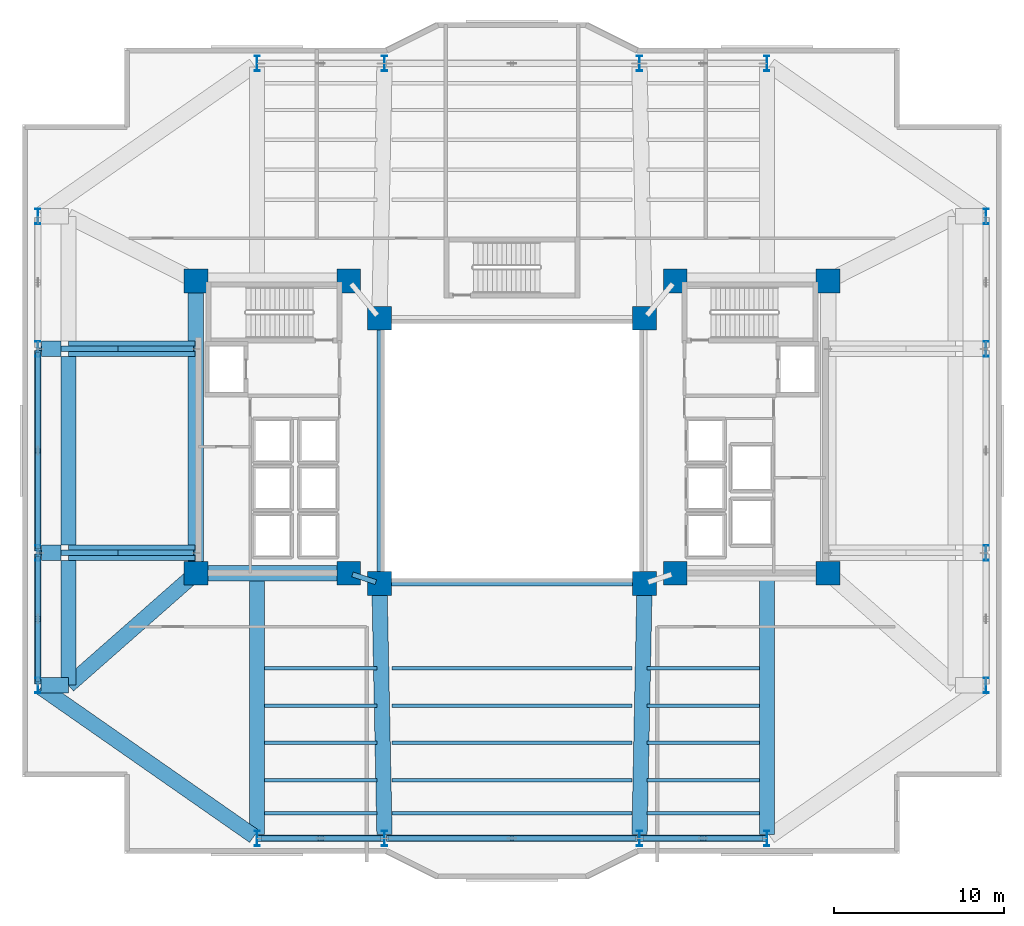
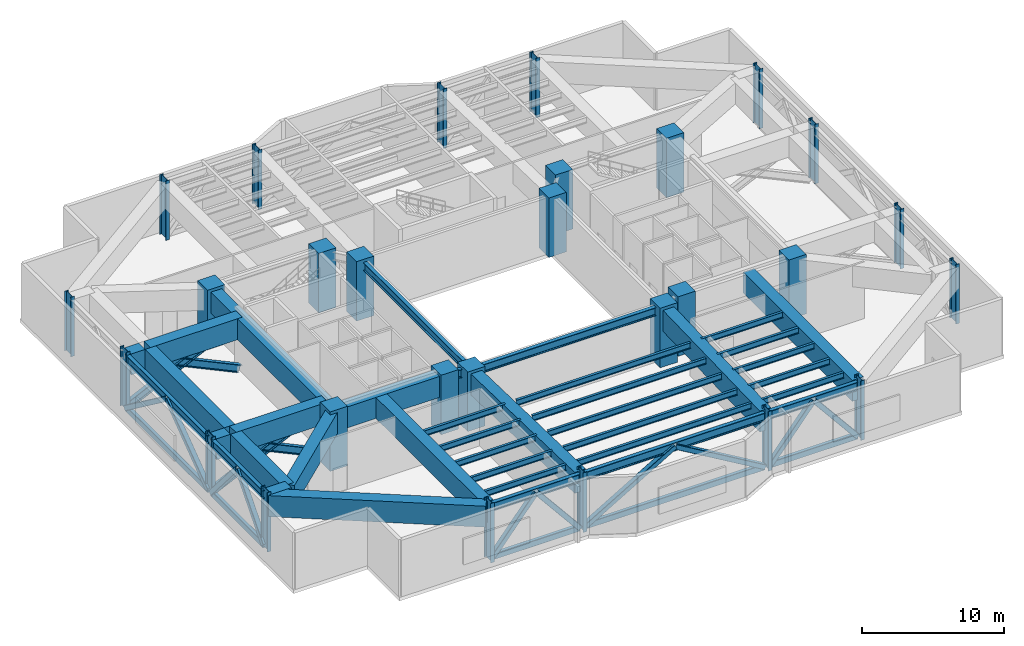
# One storey, part 1 of 12: 38 beams, 28 columns, 19 members.
"""IFC4 building model written with IfcOpenShell, lengths in metres."""

import ifcopenshell
import ifcopenshell.guid

model = None  # the IFC model being written
_history = None  # IfcOwnerHistory: only IFC2X3 demands one
_inside = {}  # id of a spatial element -> (the spatial element, [elements in it])
_under = {}  # id of a project, library or spatial element -> (it, [spatial elements below it])
_declared = {}  # id of a project -> (the project, [libraries it declares])
_typed = {}  # id of a type object -> (the type object, [elements of that type])
_made_of = {}  # id of a material, layer set ... -> (it, [elements and type objects made of it])


def new_model(schema):
    """Start an empty IFC model of exactly this schema.

    Asked for "IFC4X3", IfcOpenShell would pick the latest addendum, in which some entities
    have other attributes; the version numbers below select the first issue.
    IFC2X3 requires an IfcOwnerHistory on every rooted entity: one is made here for all.
    """
    global model, _history
    if schema == "IFC4X3":
        model = ifcopenshell.file(schema_version=(4, 3, 0, 0))
    else:
        model = ifcopenshell.file(schema=schema)
    _inside.clear()
    _under.clear()
    _declared.clear()
    _typed.clear()
    _made_of.clear()
    _history = None
    if model.schema == "IFC2X3":
        org = make("IfcOrganization", Name="unknown")
        user = make(
            "IfcPersonAndOrganization",
            ThePerson=make("IfcPerson", FamilyName="unknown"),
            TheOrganization=org,
        )
        app = make(
            "IfcApplication",
            ApplicationDeveloper=org,
            Version="unknown",
            ApplicationFullName="unknown",
            ApplicationIdentifier="unknown",
        )
        _history = make(
            "IfcOwnerHistory",
            OwningUser=user,
            OwningApplication=app,
            ChangeAction="ADDED",
            CreationDate=0,
        )
    return model


def make(cls, **values):
    """One entity of the class cls with the attributes given. An attribute that is None is left unset."""
    return model.create_entity(
        cls, **{name: value for name, value in values.items() if value is not None}
    )


def rooted(cls, **values):
    """An entity with a GlobalId (a new one), such as an element, a storey or a relation."""
    return make(cls, GlobalId=ifcopenshell.guid.new(), OwnerHistory=_history, **values)


def si_unit(unit_type, name, prefix=None):
    """IfcSIUnit, for example si_unit("LENGTHUNIT", "METRE", prefix="MILLI")."""
    return make("IfcSIUnit", UnitType=unit_type, Prefix=prefix, Name=name)


def assignment(units):
    """IfcUnitAssignment: the units of a project."""
    return None if units is None else make("IfcUnitAssignment", Units=units)


def point(xyz):
    """IfcCartesianPoint."""
    return None if xyz is None else make("IfcCartesianPoint", Coordinates=xyz)


def direction(xyz):
    """IfcDirection."""
    return None if xyz is None else make("IfcDirection", DirectionRatios=xyz)


def frame(location, z_axis=None, x_axis=None):
    """IfcAxis2Placement3D, a coordinate frame: its origin and axes. An axis left out is left unset."""
    return make(
        "IfcAxis2Placement3D",
        Location=point(location),
        Axis=direction(z_axis),
        RefDirection=direction(x_axis),
    )


def frame_2d(location, x_axis=None):
    """IfcAxis2Placement2D, a coordinate frame in the plane: its origin and x axis."""
    return make(
        "IfcAxis2Placement2D", Location=point(location), RefDirection=direction(x_axis)
    )


def origin():
    """The frame at (0, 0, 0) with its axes left unset."""
    return frame((0.0, 0.0, 0.0))


def origin_2d():
    """The frame at (0, 0) in the plane with its x axis left unset."""
    return frame_2d((0.0, 0.0))


def place(relative_to, where):
    """IfcLocalPlacement: puts the frame where relative to a parent placement (None: the world)."""
    return make(
        "IfcLocalPlacement", PlacementRelTo=relative_to, RelativePlacement=where
    )


def context(
    kind, dimensions, precision=None, world=None, true_north=None, identifier=None
):
    """IfcGeometricRepresentationContext, for example the 3D "Model" context."""
    return make(
        "IfcGeometricRepresentationContext",
        ContextIdentifier=identifier,
        ContextType=kind,
        CoordinateSpaceDimension=dimensions,
        Precision=precision,
        WorldCoordinateSystem=world,
        TrueNorth=true_north,
    )


def subcontext(parent, identifier, kind, view, scale=None):
    """IfcGeometricRepresentationSubContext, for example "Body" below "Model"."""
    return make(
        "IfcGeometricRepresentationSubContext",
        ContextIdentifier=identifier,
        ContextType=kind,
        ParentContext=parent,
        TargetScale=scale,
        TargetView=view,
    )


def project(units=None, contexts=None):
    """IfcProject with its units and contexts."""
    return rooted(
        "IfcProject",
        Name="project",
        RepresentationContexts=contexts,
        UnitsInContext=assignment(units),
    )


def spatial(cls, under=None, at=None, **own):
    """A site, building, storey or space (cls), placed at a placement, below another one or the project."""
    s = rooted(cls, ObjectPlacement=at, **own)
    if under is not None:
        _under.setdefault(under.id(), (under, []))[1].append(s)
    return s


def profile(cls, at=None, kind="AREA", **sizes):
    """A parametric profile (cls). Its sizes go by their IFC names, for example OverallWidth=200.0."""
    return make(cls, ProfileType=kind, Position=at, **sizes)


def rectangle(**sizes):
    """IfcRectangleProfileDef."""
    return profile("IfcRectangleProfileDef", **sizes)


def hollow_rectangle(**sizes):
    """IfcRectangleHollowProfileDef."""
    return profile("IfcRectangleHollowProfileDef", **sizes)


def i_section(**sizes):
    """IfcIShapeProfileDef."""
    return profile("IfcIShapeProfileDef", **sizes)


def extrude(swept, where, along, depth):
    """IfcExtrudedAreaSolid: the profile swept, set in the frame where, extruded along a direction by depth."""
    return make(
        "IfcExtrudedAreaSolid",
        SweptArea=swept,
        Position=where,
        ExtrudedDirection=direction(along),
        Depth=depth,
    )


def shape(context_of_items, identifier, shape_type, items):
    """IfcShapeRepresentation: the items that make up one representation, for example the "Body"."""
    return make(
        "IfcShapeRepresentation",
        ContextOfItems=context_of_items,
        RepresentationIdentifier=identifier,
        RepresentationType=shape_type,
        Items=items,
    )


def material(Name=None, Category=None):
    """IfcMaterial."""
    return make("IfcMaterial", Name=Name, Category=Category)


def material_profile(
    of_material, cross_section, Name=None, Category=None, Priority=None
):
    """IfcMaterialProfile: a cross section and its material."""
    return make(
        "IfcMaterialProfile",
        Name=Name,
        Material=of_material,
        Profile=cross_section,
        Priority=Priority,
        Category=Category,
    )


def profile_set(profiles, Name=None, composite=None):
    """IfcMaterialProfileSet."""
    return make(
        "IfcMaterialProfileSet",
        Name=Name,
        MaterialProfiles=profiles,
        CompositeProfile=composite,
    )


def made_of(thing, what):
    """Note that an element or type object is made of a material, layer set ...; save() writes the relation."""
    if what is not None:
        _made_of.setdefault(what.id(), (what, []))[1].append(thing)
    return thing


def type_object(cls, material=None, **own):
    """A type object (cls), such as IfcWallType, which elements share."""
    return made_of(rooted(cls, **own), material)


def element(
    cls,
    number,
    at=None,
    inside=None,
    cuts=None,
    type_object=None,
    material=None,
    context=None,
    identifier="Body",
    shape_type=None,
    held_by="IfcProductDefinitionShape",
    body=None,
    shapes=None,
    **own,
):
    """One element of the class cls, such as IfcWall. Its Tag is "e" and its number.

    at: its placement. inside: the storey or other place that contains it. cuts: it is an
    opening in that element (IfcRelVoidsElement). A single representation is given by context,
    identifier, shape_type and body (its items); several are given by shapes. held_by: the class
    of the entity that holds the representations. save() writes the other relations.
    """
    e = rooted(cls, Tag="e%d" % number, ObjectPlacement=at, **own)
    if body is not None:
        shapes = [shape(context, identifier, shape_type, body)]
    if shapes is not None:
        e.Representation = make(held_by, Representations=shapes)
    if inside is not None:
        _inside.setdefault(inside.id(), (inside, []))[1].append(e)
    if cuts is not None:
        rooted(
            "IfcRelVoidsElement", RelatingBuildingElement=cuts, RelatedOpeningElement=e
        )
    if type_object is not None:
        _typed.setdefault(type_object.id(), (type_object, []))[1].append(e)
    return made_of(e, material)


def aggregate(whole, parts):
    """IfcRelAggregates: a whole, such as a stair, and the parts it consists of."""
    return rooted("IfcRelAggregates", RelatingObject=whole, RelatedObjects=parts)


def save(model, path):
    """Write the relations noted so far, then the file.

    IfcRelAggregates (storeys below a building ...), IfcRelContainedInSpatialStructure (elements
    in a storey), IfcRelDefinesByType, IfcRelAssociatesMaterial and IfcRelDeclares: one each for
    every whole, place, type object, material and project.
    """
    for whole, parts in _under.values():
        aggregate(whole, parts)
    for where, things in _inside.values():
        rooted(
            "IfcRelContainedInSpatialStructure",
            RelatedElements=things,
            RelatingStructure=where,
        )
    for kind, things in _typed.values():
        rooted("IfcRelDefinesByType", RelatedObjects=things, RelatingType=kind)
    for what, things in _made_of.values():
        rooted("IfcRelAssociatesMaterial", RelatedObjects=things, RelatingMaterial=what)
    for by, libraries in _declared.values():
        rooted("IfcRelDeclares", RelatingContext=by, RelatedDefinitions=libraries)
    model.write(path)


model = new_model("IFC4")

# Units and contexts
model_context = context("Model", 3, precision=1e-05, world=origin(), true_north=direction((0.0, 1.0)))
body_context = subcontext(model_context, "Body", "Model", "MODEL_VIEW")
ifc_project = project(units=[si_unit("LENGTHUNIT", "METRE"), si_unit("AREAUNIT", "SQUARE_METRE"), si_unit("VOLUMEUNIT", "CUBIC_METRE"), si_unit("PLANEANGLEUNIT", "RADIAN"), si_unit("MASSUNIT", "GRAM", prefix="KILO")], contexts=[model_context])

# Site, building, storey
site_placement = place(None, origin())
site = spatial("IfcSite", under=ifc_project, at=site_placement, CompositionType="ELEMENT")
building_placement = place(site_placement, origin())
building = spatial("IfcBuilding", under=site, at=building_placement, Name="Tarnavaz Court Tower", CompositionType="ELEMENT")
storey_placement = place(building_placement, frame((0.0, 0.0, 73.199951171875)))
storey = spatial("IfcBuildingStorey", under=building, at=storey_placement, Name="L19", CompositionType="ELEMENT", Elevation=73.199951171875)

# Columns
ifc_material_1 = material(Name="Concrete C60/75", Category="concrete")
ifc_material_profile_1 = material_profile(ifc_material_1, rectangle(XDim=1.39990234375, YDim=1.39990234375, at=origin_2d()), Name="RC 1400X1400")
ifc_profile_set_1 = profile_set([ifc_material_profile_1], Name="Concrete C60/75")
column_type_1 = type_object("IfcColumnType", Name="CL-RC1400", PredefinedType="COLUMN", material=ifc_profile_set_1)
for number, where, z_axis, x_axis, name in (
    (1, (-7.800048828125, -7.800048828125, 0.0), (0.0, 0.0, 1.0), (1.0, 0.0, 0.0), "L19 Column IW-SW"),
    (2, (7.800048828125, -7.800048828125, 0.0), (0.0, 0.0, 1.0), (1.0, 0.0, 0.0), "L19 Column IW-SE"),
    (3, (-7.800048828125, 7.800048828125, 0.0), (0.0, 0.0, 1.0), (1.0, 0.0, 0.0), "L19 Column IW-NW"),
    (4, (7.800048828125, 7.800048828125, 0.0), (0.0, 0.0, 1.0), (1.0, 0.0, 0.0), "L19 Column IW-NE"),
    (5, (-9.60009765625, -7.199951171875, 0.0), (0.0, 0.0, 1.0), (1.0, 0.0, 0.0), "L19 Column CW-SI"),
    (6, (-9.60009765625, 10.0, 0.0), (0.0, 0.0, 1.0), (1.0, 0.0, 0.0), "L19 Column CW-NI"),
    (7, (9.60009765625, -7.199951171875, 0.0), (0.0, 0.0, 1.0), (1.0, 0.0, 0.0), "L19 Column CE-SI"),
    (8, (9.60009765625, 10.0, 0.0), (0.0, 0.0, 1.0), (1.0, 0.0, 0.0), "L19 Column CE-NI"),
    (9, (-18.60009765625, -7.199951171875, 0.0), (0.0, 0.0, 1.0), (1.0, 0.0, 0.0), "L19 Column CW-SO"),
    (10, (-18.60009765625, 10.0, 0.0), (0.0, 0.0, 1.0), (1.0, 0.0, 0.0), "L19 Column CW-NO"),
    (11, (18.60009765625, -7.199951171875, 0.0), (0.0, 0.0, 1.0), (1.0, 0.0, 0.0), "L19 Column CE-SO"),
    (12, (18.60009765625, 10.0, 0.0), (0.0, 0.0, 1.0), (1.0, 0.0, 0.0), "L19 Column CE-NO"),
):
    element("IfcColumn", number, at=place(storey_placement, frame(where, z_axis=z_axis, x_axis=x_axis)), inside=storey, type_object=column_type_1, Name=name, PredefinedType="COLUMN", context=body_context, shape_type="SweptSolid", body=[
        extrude(rectangle(XDim=1.39990234375, YDim=1.39990234375, at=origin_2d()), origin(), (0.0, 0.0, 1.0), 5.10009765625),
    ])
ifc_material_2 = material(Name="Steel S460", Category="steel")
ifc_material_profile_2 = material_profile(ifc_material_2, i_section(OverallWidth=0.302001953125, OverallDepth=0.909912109375, WebThickness=0.02099609375, FlangeThickness=0.0400390625, FilletRadius=0.030029296875, at=origin_2d()), Name="HEM 900")
ifc_profile_set_2 = profile_set([ifc_material_profile_2], Name="Steel S460")
column_type_2 = type_object("IfcColumnType", Name="CL-S460-HEM900", PredefinedType="COLUMN", material=ifc_profile_set_2)
for number, where, z_axis, x_axis, name in (
    (13, (-15.0, 22.800048828125, 0.0), (0.0, 0.0, 1.0), (1.0, 0.0, 0.0), "L19 Column PN-1"),
    (14, (-7.5, 22.800048828125, 0.0), (0.0, 0.0, 1.0), (1.0, 0.0, 0.0), "L19 Column PN-2"),
    (15, (7.5, 22.800048828125, 0.0), (0.0, 0.0, 1.0), (1.0, 0.0, 0.0), "L19 Column PN-3"),
    (16, (15.0, 22.800048828125, 0.0), (0.0, 0.0, 1.0), (1.0, 0.0, 0.0), "L19 Column PN-4"),
    (17, (-15.0, -22.800048828125, 0.0), (0.0, 0.0, 1.0), (1.0, 0.0, 0.0), "L19 Column PS-1"),
    (18, (-7.5, -22.800048828125, 0.0), (0.0, 0.0, 1.0), (1.0, 0.0, 0.0), "L19 Column PS-2"),
    (19, (7.5, -22.800048828125, 0.0), (0.0, 0.0, 1.0), (1.0, 0.0, 0.0), "L19 Column PS-3"),
    (20, (15.0, -22.800048828125, 0.0), (0.0, 0.0, 1.0), (1.0, 0.0, 0.0), "L19 Column PS-4"),
    (21, (27.89990234375, -13.800048828125, 0.0), (0.0, 0.0, 1.0), (1.0, 0.0, 0.0), "L19 Column PE-1"),
    (22, (27.89990234375, -6.0, 0.0), (0.0, 0.0, 1.0), (1.0, 0.0, 0.0), "L19 Column PE-2"),
    (23, (27.89990234375, 6.0, 0.0), (0.0, 0.0, 1.0), (1.0, 0.0, 0.0), "L19 Column PE-3"),
    (24, (27.89990234375, 13.800048828125, 0.0), (0.0, 0.0, 1.0), (1.0, 0.0, 0.0), "L19 Column PE-4"),
    (25, (-27.89990234375, -13.800048828125, 0.0), (0.0, 0.0, 1.0), (1.0, 0.0, 0.0), "L19 Column PW-1"),
    (26, (-27.89990234375, -6.0, 0.0), (0.0, 0.0, 1.0), (1.0, 0.0, 0.0), "L19 Column PW-2"),
    (27, (-27.89990234375, 6.0, 0.0), (0.0, 0.0, 1.0), (1.0, 0.0, 0.0), "L19 Column PW-3"),
    (28, (-27.89990234375, 13.800048828125, 0.0), (0.0, 0.0, 1.0), (1.0, 0.0, 0.0), "L19 Column PW-4"),
):
    element("IfcColumn", number, at=place(storey_placement, frame(where, z_axis=z_axis, x_axis=x_axis)), inside=storey, type_object=column_type_2, Name=name, PredefinedType="COLUMN", context=body_context, shape_type="SweptSolid", body=[
        extrude(i_section(OverallWidth=0.302001953125, OverallDepth=0.909912109375, WebThickness=0.02099609375, FlangeThickness=0.0400390625, FilletRadius=0.030029296875, at=origin_2d()), origin(), (0.0, 0.0, 1.0), 5.10009765625),
    ])

# Beams
ifc_material_profile_3 = material_profile(ifc_material_2, i_section(OverallWidth=0.303955078125, OverallDepth=0.716064453125, WebThickness=0.02099609375, FlangeThickness=0.0400390625, FilletRadius=0.027099609375, at=origin_2d()), Name="HEM 700")
ifc_profile_set_3 = profile_set([ifc_material_profile_3], Name="Steel S460")
beam_type_1 = type_object("IfcBeamType", Name="BM-BT-HEM700", PredefinedType="USERDEFINED", material=ifc_profile_set_3)
for number, where, z_axis, x_axis, name in (
    (29, (-7.580078125, -7.800048828125, 4.491943359375), (1.0, 0.0, 0.0), (0.0, 1.0, 0.0), "L19 Beam IN-IW-SW-IW-SE"),
    (30, (-7.800048828125, -7.580078125, 4.491943359375), (0.0, 1.0, 0.0), (-1.0, 0.0, 0.0), "L19 Beam IN-IW-SW-IW-NW"),
):
    element("IfcBeam", number, at=place(storey_placement, frame(where, z_axis=z_axis, x_axis=x_axis)), inside=storey, type_object=beam_type_1, Name=name, ObjectType="GIRDER", PredefinedType="USERDEFINED", context=body_context, shape_type="SweptSolid", body=[
        extrude(i_section(OverallWidth=0.303955078125, OverallDepth=0.716064453125, WebThickness=0.02099609375, FlangeThickness=0.0400390625, FilletRadius=0.027099609375, at=origin_2d()), origin(), (0.0, 0.0, 1.0), 15.16015625),
    ])
beam_1_placement = place(storey_placement, frame((-9.391357421875, -7.26953125, 4.491943359375), z_axis=(0.948666544706, -0.316278021615, 0.0), x_axis=(0.316278021615, 0.948666544706, 0.0)))
element("IfcBeam", 31, at=beam_1_placement, inside=storey, type_object=beam_type_1, Name="L19 Beam IN-CW-SI-IW-SW", ObjectType="GIRDER", PredefinedType="USERDEFINED", context=body_context, shape_type="SweptSolid", body=[
    extrude(i_section(OverallWidth=0.303955078125, OverallDepth=0.716064453125, WebThickness=0.02099609375, FlangeThickness=0.0400390625, FilletRadius=0.027099609375, at=origin_2d()), origin(), (0.0, 0.0, 1.0), 1.457275390625),
])
beam_2_placement = place(storey_placement, frame((-14.780029296875, -22.800048828125, 4.491943359375), z_axis=(1.0, 0.0, 0.0), x_axis=(0.0, 1.0, 0.0)))
element("IfcBeam", 32, at=beam_2_placement, inside=storey, type_object=beam_type_1, Name="L19 Beam PR-PS-1-PS-2", ObjectType="GIRDER", PredefinedType="USERDEFINED", context=body_context, shape_type="SweptSolid", body=[
    extrude(i_section(OverallWidth=0.303955078125, OverallDepth=0.716064453125, WebThickness=0.02099609375, FlangeThickness=0.0400390625, FilletRadius=0.027099609375, at=origin_2d()), origin(), (0.0, 0.0, 1.0), 7.06005859375),
])
beam_3_placement = place(storey_placement, frame((-7.280029296875, -22.800048828125, 4.491943359375), z_axis=(1.0, 0.0, 0.0), x_axis=(0.0, 1.0, 0.0)))
element("IfcBeam", 33, at=beam_3_placement, inside=storey, type_object=beam_type_1, Name="L19 Beam PR-PS-2-PS-3", ObjectType="GIRDER", PredefinedType="USERDEFINED", context=body_context, shape_type="SweptSolid", body=[
    extrude(i_section(OverallWidth=0.303955078125, OverallDepth=0.716064453125, WebThickness=0.02099609375, FlangeThickness=0.0400390625, FilletRadius=0.027099609375, at=origin_2d()), origin(), (0.0, 0.0, 1.0), 14.56005859375),
])
beam_4_placement = place(storey_placement, frame((7.719970703125, -22.800048828125, 4.491943359375), z_axis=(1.0, 0.0, 0.0), x_axis=(0.0, 1.0, 0.0)))
element("IfcBeam", 34, at=beam_4_placement, inside=storey, type_object=beam_type_1, Name="L19 Beam PR-PS-3-PS-4", ObjectType="GIRDER", PredefinedType="USERDEFINED", context=body_context, shape_type="SweptSolid", body=[
    extrude(i_section(OverallWidth=0.303955078125, OverallDepth=0.716064453125, WebThickness=0.02099609375, FlangeThickness=0.0400390625, FilletRadius=0.027099609375, at=origin_2d()), origin(), (0.0, 0.0, 1.0), 7.06005859375),
])
beam_5_placement = place(storey_placement, frame((-27.89990234375, -13.580078125, 4.491943359375), z_axis=(0.0, 1.0, 0.0), x_axis=(-1.0, 0.0, 0.0)))
element("IfcBeam", 35, at=beam_5_placement, inside=storey, type_object=beam_type_1, Name="L19 Beam PR-PW-1-PW-2", ObjectType="GIRDER", PredefinedType="USERDEFINED", context=body_context, shape_type="SweptSolid", body=[
    extrude(i_section(OverallWidth=0.303955078125, OverallDepth=0.716064453125, WebThickness=0.02099609375, FlangeThickness=0.0400390625, FilletRadius=0.027099609375, at=origin_2d()), origin(), (0.0, 0.0, 1.0), 7.360107421875),
])
beam_6_placement = place(storey_placement, frame((-27.89990234375, -5.780029296875, 4.491943359375), z_axis=(0.0, 1.0, 0.0), x_axis=(-1.0, 0.0, 0.0)))
element("IfcBeam", 36, at=beam_6_placement, inside=storey, type_object=beam_type_1, Name="L19 Beam PR-PW-2-PW-3", ObjectType="GIRDER", PredefinedType="USERDEFINED", context=body_context, shape_type="SweptSolid", body=[
    extrude(i_section(OverallWidth=0.303955078125, OverallDepth=0.716064453125, WebThickness=0.02099609375, FlangeThickness=0.0400390625, FilletRadius=0.027099609375, at=origin_2d()), origin(), (0.0, 0.0, 1.0), 11.56005859375),
])
ifc_material_3 = material(Name="Steel S355", Category="steel")
ifc_material_profile_4 = material_profile(ifc_material_3, i_section(OverallWidth=0.199951171875, OverallDepth=0.5, WebThickness=0.01025390625, FlangeThickness=0.01611328125, FilletRadius=0.02099609375, at=origin_2d()), Name="IPE 500")
ifc_profile_set_4 = profile_set([ifc_material_profile_4], Name="Steel S355")
beam_type_2 = type_object("IfcBeamType", Name="BM-J-IPE500", PredefinedType="JOIST", material=ifc_profile_set_4)
beam_7_placement = place(storey_placement, frame((-14.550048828125, -12.7958984375, 4.60009765625), z_axis=(1.0, 0.0, 0.0), x_axis=(0.0, 1.0, 0.0)))
element("IfcBeam", 37, at=beam_7_placement, inside=storey, type_object=beam_type_2, Name="L19 Beam JS1-1", PredefinedType="JOIST", context=body_context, shape_type="SweptSolid", body=[
    extrude(i_section(OverallWidth=0.199951171875, OverallDepth=0.5, WebThickness=0.01025390625, FlangeThickness=0.01611328125, FilletRadius=0.02099609375, at=origin_2d()), origin(), (0.0, 0.0, 1.0), 6.60009765625),
])
beam_8_placement = place(storey_placement, frame((-7.050048828125, -12.7958984375, 4.60009765625), z_axis=(1.0, 0.0, 0.0), x_axis=(0.0, 1.0, 0.0)))
element("IfcBeam", 38, at=beam_8_placement, inside=storey, type_object=beam_type_2, Name="L19 Beam JS1-2", PredefinedType="JOIST", context=body_context, shape_type="SweptSolid", body=[
    extrude(i_section(OverallWidth=0.199951171875, OverallDepth=0.5, WebThickness=0.01025390625, FlangeThickness=0.01611328125, FilletRadius=0.02099609375, at=origin_2d()), origin(), (0.0, 0.0, 1.0), 14.10009765625),
])
for number, where, z_axis, x_axis, name in (
    (39, (7.949951171875, -12.7958984375, 4.60009765625), (1.0, 0.0, 0.0), (0.0, 1.0, 0.0), "L19 Beam JS1-3"),
    (40, (-14.550048828125, -14.991943359375, 4.60009765625), (1.0, 0.0, 0.0), (0.0, 1.0, 0.0), "L19 Beam JS2-1"),
):
    element("IfcBeam", number, at=place(storey_placement, frame(where, z_axis=z_axis, x_axis=x_axis)), inside=storey, type_object=beam_type_2, Name=name, PredefinedType="JOIST", context=body_context, shape_type="SweptSolid", body=[
        extrude(i_section(OverallWidth=0.199951171875, OverallDepth=0.5, WebThickness=0.01025390625, FlangeThickness=0.01611328125, FilletRadius=0.02099609375, at=origin_2d()), origin(), (0.0, 0.0, 1.0), 6.60009765625),
    ])
beam_9_placement = place(storey_placement, frame((-7.050048828125, -14.991943359375, 4.60009765625), z_axis=(1.0, 0.0, 0.0), x_axis=(0.0, 1.0, 0.0)))
element("IfcBeam", 41, at=beam_9_placement, inside=storey, type_object=beam_type_2, Name="L19 Beam JS2-2", PredefinedType="JOIST", context=body_context, shape_type="SweptSolid", body=[
    extrude(i_section(OverallWidth=0.199951171875, OverallDepth=0.5, WebThickness=0.01025390625, FlangeThickness=0.01611328125, FilletRadius=0.02099609375, at=origin_2d()), origin(), (0.0, 0.0, 1.0), 14.10009765625),
])
for number, where, z_axis, x_axis, name in (
    (42, (7.949951171875, -14.991943359375, 4.60009765625), (1.0, 0.0, 0.0), (0.0, 1.0, 0.0), "L19 Beam JS2-3"),
    (43, (-14.550048828125, -17.18798828125, 4.60009765625), (1.0, 0.0, 0.0), (0.0, 1.0, 0.0), "L19 Beam JS3-1"),
):
    element("IfcBeam", number, at=place(storey_placement, frame(where, z_axis=z_axis, x_axis=x_axis)), inside=storey, type_object=beam_type_2, Name=name, PredefinedType="JOIST", context=body_context, shape_type="SweptSolid", body=[
        extrude(i_section(OverallWidth=0.199951171875, OverallDepth=0.5, WebThickness=0.01025390625, FlangeThickness=0.01611328125, FilletRadius=0.02099609375, at=origin_2d()), origin(), (0.0, 0.0, 1.0), 6.60009765625),
    ])
beam_10_placement = place(storey_placement, frame((-7.050048828125, -17.18798828125, 4.60009765625), z_axis=(1.0, 0.0, 0.0), x_axis=(0.0, 1.0, 0.0)))
element("IfcBeam", 44, at=beam_10_placement, inside=storey, type_object=beam_type_2, Name="L19 Beam JS3-2", PredefinedType="JOIST", context=body_context, shape_type="SweptSolid", body=[
    extrude(i_section(OverallWidth=0.199951171875, OverallDepth=0.5, WebThickness=0.01025390625, FlangeThickness=0.01611328125, FilletRadius=0.02099609375, at=origin_2d()), origin(), (0.0, 0.0, 1.0), 14.10009765625),
])
for number, where, z_axis, x_axis, name in (
    (45, (7.949951171875, -17.18798828125, 4.60009765625), (1.0, 0.0, 0.0), (0.0, 1.0, 0.0), "L19 Beam JS3-3"),
    (46, (-14.550048828125, -19.384033203125, 4.60009765625), (1.0, 0.0, 0.0), (0.0, 1.0, 0.0), "L19 Beam JS4-1"),
):
    element("IfcBeam", number, at=place(storey_placement, frame(where, z_axis=z_axis, x_axis=x_axis)), inside=storey, type_object=beam_type_2, Name=name, PredefinedType="JOIST", context=body_context, shape_type="SweptSolid", body=[
        extrude(i_section(OverallWidth=0.199951171875, OverallDepth=0.5, WebThickness=0.01025390625, FlangeThickness=0.01611328125, FilletRadius=0.02099609375, at=origin_2d()), origin(), (0.0, 0.0, 1.0), 6.60009765625),
    ])
beam_11_placement = place(storey_placement, frame((-7.050048828125, -19.384033203125, 4.60009765625), z_axis=(1.0, 0.0, 0.0), x_axis=(0.0, 1.0, 0.0)))
element("IfcBeam", 47, at=beam_11_placement, inside=storey, type_object=beam_type_2, Name="L19 Beam JS4-2", PredefinedType="JOIST", context=body_context, shape_type="SweptSolid", body=[
    extrude(i_section(OverallWidth=0.199951171875, OverallDepth=0.5, WebThickness=0.01025390625, FlangeThickness=0.01611328125, FilletRadius=0.02099609375, at=origin_2d()), origin(), (0.0, 0.0, 1.0), 14.10009765625),
])
for number, where, z_axis, x_axis, name in (
    (48, (7.949951171875, -19.384033203125, 4.60009765625), (1.0, 0.0, 0.0), (0.0, 1.0, 0.0), "L19 Beam JS4-3"),
    (49, (-14.550048828125, -21.3359375, 4.60009765625), (1.0, 0.0, 0.0), (0.0, 1.0, 0.0), "L19 Beam JS5-1"),
):
    element("IfcBeam", number, at=place(storey_placement, frame(where, z_axis=z_axis, x_axis=x_axis)), inside=storey, type_object=beam_type_2, Name=name, PredefinedType="JOIST", context=body_context, shape_type="SweptSolid", body=[
        extrude(i_section(OverallWidth=0.199951171875, OverallDepth=0.5, WebThickness=0.01025390625, FlangeThickness=0.01611328125, FilletRadius=0.02099609375, at=origin_2d()), origin(), (0.0, 0.0, 1.0), 6.60009765625),
    ])
beam_12_placement = place(storey_placement, frame((-7.050048828125, -21.3359375, 4.60009765625), z_axis=(1.0, 0.0, 0.0), x_axis=(0.0, 1.0, 0.0)))
element("IfcBeam", 50, at=beam_12_placement, inside=storey, type_object=beam_type_2, Name="L19 Beam JS5-2", PredefinedType="JOIST", context=body_context, shape_type="SweptSolid", body=[
    extrude(i_section(OverallWidth=0.199951171875, OverallDepth=0.5, WebThickness=0.01025390625, FlangeThickness=0.01611328125, FilletRadius=0.02099609375, at=origin_2d()), origin(), (0.0, 0.0, 1.0), 14.10009765625),
])
beam_13_placement = place(storey_placement, frame((7.949951171875, -21.3359375, 4.60009765625), z_axis=(1.0, 0.0, 0.0), x_axis=(0.0, 1.0, 0.0)))
element("IfcBeam", 51, at=beam_13_placement, inside=storey, type_object=beam_type_2, Name="L19 Beam JS5-3", PredefinedType="JOIST", context=body_context, shape_type="SweptSolid", body=[
    extrude(i_section(OverallWidth=0.199951171875, OverallDepth=0.5, WebThickness=0.01025390625, FlangeThickness=0.01611328125, FilletRadius=0.02099609375, at=origin_2d()), origin(), (0.0, 0.0, 1.0), 6.60009765625),
])
ifc_material_4 = material(Name="Concrete C50/60", Category="concrete")
ifc_material_profile_5 = material_profile(ifc_material_4, rectangle(XDim=0.89990234375, YDim=1.800048828125, at=origin_2d()), Name="RC 900X1800")
ifc_profile_set_5 = profile_set([ifc_material_profile_5], Name="Concrete C50/60")
beam_type_3 = type_object("IfcBeamType", Name="BM-TG1800", PredefinedType="USERDEFINED", material=ifc_profile_set_5)
beam_14_placement = place(storey_placement, frame((-18.3798828125, -7.199951171875, 3.949951171875), z_axis=(1.0, 0.0, 0.0), x_axis=(0.0, 1.0, 0.0)))
element("IfcBeam", 52, at=beam_14_placement, inside=storey, type_object=beam_type_3, Name="L19 Beam IN-CW-SO-CW-SI", ObjectType="GIRDER", PredefinedType="USERDEFINED", context=body_context, shape_type="SweptSolid", body=[
    extrude(rectangle(XDim=0.89990234375, YDim=1.800048828125, at=origin_2d()), origin(), (0.0, 0.0, 1.0), 8.559814453125),
])
beam_15_placement = place(storey_placement, frame((-18.60009765625, -6.97998046875, 3.949951171875), z_axis=(0.0, 1.0, 0.0), x_axis=(-1.0, 0.0, 0.0)))
element("IfcBeam", 53, at=beam_15_placement, inside=storey, type_object=beam_type_3, Name="L19 Beam IN-CW-SO-CW-NO", ObjectType="GIRDER", PredefinedType="USERDEFINED", context=body_context, shape_type="SweptSolid", body=[
    extrude(rectangle(XDim=0.89990234375, YDim=1.800048828125, at=origin_2d()), origin(), (0.0, 0.0, 1.0), 16.760009765625),
])
beam_16_placement = place(storey_placement, frame((-15.180419921875, -22.674072265625, 3.949951171875), z_axis=(-0.820123643324, 0.572186341729, 0.0), x_axis=(-0.572186341729, -0.820123643324, 0.0)))
element("IfcBeam", 54, at=beam_16_placement, inside=storey, type_object=beam_type_3, Name="L19 Beam PR-PS-1-PW-1", ObjectType="GIRDER", PredefinedType="USERDEFINED", context=body_context, shape_type="SweptSolid", body=[
    extrude(rectangle(XDim=0.89990234375, YDim=1.800048828125, at=origin_2d()), origin(), (0.0, 0.0, 1.0), 15.289306640625),
])
beam_17_placement = place(storey_placement, frame((-15.0, -7.239990234375, 3.949951171875), z_axis=(0.0, -1.0, 0.0), x_axis=(1.0, 0.0, 0.0)))
element("IfcBeam", 55, at=beam_17_placement, inside=storey, type_object=beam_type_3, Name="L19 Beam RG-05", ObjectType="GIRDER", PredefinedType="USERDEFINED", context=body_context, shape_type="SweptSolid", body=[
    extrude(rectangle(XDim=0.89990234375, YDim=1.800048828125, at=origin_2d()), origin(), (0.0, 0.0, 1.0), 15.340087890625),
])
for number, where, z_axis, x_axis, name in (
    (56, (-7.795654296875, -8.02001953125, 3.949951171875), (0.020000023066, -0.999799979535, 0.0), (0.999799979535, 0.020000023066, 0.0), "L19 Beam RG-06"),
    (57, (7.795654296875, -8.02001953125, 3.949951171875), (-0.020000023066, -0.999799979535, 0.0), (0.999799979535, -0.020000023066, 0.0), "L19 Beam RG-07"),
):
    element("IfcBeam", number, at=place(storey_placement, frame(where, z_axis=z_axis, x_axis=x_axis)), inside=storey, type_object=beam_type_3, Name=name, ObjectType="GIRDER", PredefinedType="USERDEFINED", context=body_context, shape_type="SweptSolid", body=[
        extrude(rectangle(XDim=0.89990234375, YDim=1.800048828125, at=origin_2d()), origin(), (0.0, 0.0, 1.0), 14.56298828125),
    ])
beam_18_placement = place(storey_placement, frame((15.0, -7.239990234375, 3.949951171875), z_axis=(0.0, -1.0, 0.0), x_axis=(1.0, 0.0, 0.0)))
element("IfcBeam", 58, at=beam_18_placement, inside=storey, type_object=beam_type_3, Name="L19 Beam RG-08", ObjectType="GIRDER", PredefinedType="USERDEFINED", context=body_context, shape_type="SweptSolid", body=[
    extrude(rectangle(XDim=0.89990234375, YDim=1.800048828125, at=origin_2d()), origin(), (0.0, 0.0, 1.0), 15.340087890625),
])
beam_19_placement = place(storey_placement, frame((-18.639892578125, -6.0, 3.949951171875), z_axis=(-1.0, 0.0, 0.0), x_axis=(0.0, -1.0, 0.0)))
element("IfcBeam", 59, at=beam_19_placement, inside=storey, type_object=beam_type_3, Name="L19 Beam RG-13", ObjectType="GIRDER", PredefinedType="USERDEFINED", context=body_context, shape_type="SweptSolid", body=[
    extrude(rectangle(XDim=0.89990234375, YDim=1.800048828125, at=origin_2d()), origin(), (0.0, 0.0, 1.0), 7.460205078125),
])
beam_20_placement = place(storey_placement, frame((-26.550048828125, -6.0, 3.949951171875), z_axis=(-1.0, 0.0, 0.0), x_axis=(0.0, -1.0, 0.0)))
element("IfcBeam", 60, at=beam_20_placement, inside=storey, type_object=beam_type_3, Name="L19 Beam RG-13B", ObjectType="GIRDER", PredefinedType="USERDEFINED", context=body_context, shape_type="SweptSolid", body=[
    extrude(rectangle(XDim=0.89990234375, YDim=1.800048828125, at=origin_2d()), origin(), (0.0, 0.0, 1.0), 1.1298828125),
])
beam_21_placement = place(storey_placement, frame((-18.639892578125, 6.0, 3.949951171875), z_axis=(-1.0, 0.0, 0.0), x_axis=(0.0, -1.0, 0.0)))
element("IfcBeam", 61, at=beam_21_placement, inside=storey, type_object=beam_type_3, Name="L19 Beam RG-14", ObjectType="GIRDER", PredefinedType="USERDEFINED", context=body_context, shape_type="SweptSolid", body=[
    extrude(rectangle(XDim=0.89990234375, YDim=1.800048828125, at=origin_2d()), origin(), (0.0, 0.0, 1.0), 7.460205078125),
])
beam_22_placement = place(storey_placement, frame((-26.550048828125, 6.0, 3.949951171875), z_axis=(-1.0, 0.0, 0.0), x_axis=(0.0, -1.0, 0.0)))
element("IfcBeam", 62, at=beam_22_placement, inside=storey, type_object=beam_type_3, Name="L19 Beam RG-14B", ObjectType="GIRDER", PredefinedType="USERDEFINED", context=body_context, shape_type="SweptSolid", body=[
    extrude(rectangle(XDim=0.89990234375, YDim=1.800048828125, at=origin_2d()), origin(), (0.0, 0.0, 1.0), 1.1298828125),
])
beam_23_placement = place(storey_placement, frame((-18.75, -7.33203125, 3.949951171875), z_axis=(-0.750716979592, -0.660623960019, 0.0), x_axis=(0.660623960019, -0.750716979592, 0.0)))
element("IfcBeam", 63, at=beam_23_placement, inside=storey, type_object=beam_type_3, Name="L19 Beam TG-SET-WS", ObjectType="GIRDER", PredefinedType="USERDEFINED", context=body_context, shape_type="SweptSolid", body=[
    extrude(rectangle(XDim=0.89990234375, YDim=1.800048828125, at=origin_2d()), origin(), (0.0, 0.0, 1.0), 9.790771484375),
])
beam_24_placement = place(storey_placement, frame((-26.10009765625, -13.800048828125, 3.949951171875), z_axis=(-1.0, 0.0, 0.0), x_axis=(0.0, -1.0, 0.0)))
element("IfcBeam", 64, at=beam_24_placement, inside=storey, type_object=beam_type_3, Name="L19 Beam TG-OUT-WS", ObjectType="GIRDER", PredefinedType="USERDEFINED", context=body_context, shape_type="SweptSolid", body=[
    extrude(rectangle(XDim=0.89990234375, YDim=1.800048828125, at=origin_2d()), origin(), (0.0, 0.0, 1.0), 1.599853515625),
])
beam_25_placement = place(storey_placement, frame((-26.10009765625, -13.780029296875, 3.949951171875), z_axis=(0.0, 1.0, 0.0), x_axis=(-1.0, 0.0, 0.0)))
element("IfcBeam", 65, at=beam_25_placement, inside=storey, type_object=beam_type_3, Name="L19 Beam TG-TIE-W1", ObjectType="GIRDER", PredefinedType="USERDEFINED", context=body_context, shape_type="SweptSolid", body=[
    extrude(rectangle(XDim=0.89990234375, YDim=1.800048828125, at=origin_2d()), origin(), (0.0, 0.0, 1.0), 7.330078125),
])
beam_26_placement = place(storey_placement, frame((-26.10009765625, -5.550048828125, 3.949951171875), z_axis=(0.0, 1.0, 0.0), x_axis=(-1.0, 0.0, 0.0)))
element("IfcBeam", 66, at=beam_26_placement, inside=storey, type_object=beam_type_3, Name="L19 Beam TG-TIE-W2", ObjectType="GIRDER", PredefinedType="USERDEFINED", context=body_context, shape_type="SweptSolid", body=[
    extrude(rectangle(XDim=0.89990234375, YDim=1.800048828125, at=origin_2d()), origin(), (0.0, 0.0, 1.0), 11.10009765625),
])

# Members
ifc_material_profile_6 = material_profile(ifc_material_2, hollow_rectangle(XDim=0.300048828125, YDim=0.5, WallThickness=0.02001953125, InnerFilletRadius=0.02001953125, OuterFilletRadius=0.0400390625, at=origin_2d()), Name="RHS 500X300X20")
ifc_profile_set_6 = profile_set([ifc_material_profile_6], Name="Steel S460")
member_type_1 = type_object("IfcMemberType", Name="MB-BT-RHS500", PredefinedType="CHORD", material=ifc_profile_set_6)
member_1_placement = place(storey_placement, frame((-14.780029296875, -22.800048828125, 0.199951171875), z_axis=(1.0, 0.0, 0.0), x_axis=(0.0, 1.0, 0.0)))
element("IfcMember", 67, at=member_1_placement, inside=storey, type_object=member_type_1, Name="L19 Belt Truss Bottom Chord PS-1-PS-2", PredefinedType="CHORD", context=body_context, shape_type="SweptSolid", body=[
    extrude(hollow_rectangle(XDim=0.300048828125, YDim=0.5, WallThickness=0.02001953125, InnerFilletRadius=0.02001953125, OuterFilletRadius=0.0400390625, at=origin_2d()), origin(), (0.0, 0.0, 1.0), 7.06005859375),
])
member_2_placement = place(storey_placement, frame((-7.280029296875, -22.800048828125, 0.199951171875), z_axis=(1.0, 0.0, 0.0), x_axis=(0.0, 1.0, 0.0)))
element("IfcMember", 68, at=member_2_placement, inside=storey, type_object=member_type_1, Name="L19 Belt Truss Bottom Chord PS-2-PS-3", PredefinedType="CHORD", context=body_context, shape_type="SweptSolid", body=[
    extrude(hollow_rectangle(XDim=0.300048828125, YDim=0.5, WallThickness=0.02001953125, InnerFilletRadius=0.02001953125, OuterFilletRadius=0.0400390625, at=origin_2d()), origin(), (0.0, 0.0, 1.0), 14.56005859375),
])
member_3_placement = place(storey_placement, frame((7.719970703125, -22.800048828125, 0.199951171875), z_axis=(1.0, 0.0, 0.0), x_axis=(0.0, 1.0, 0.0)))
element("IfcMember", 69, at=member_3_placement, inside=storey, type_object=member_type_1, Name="L19 Belt Truss Bottom Chord PS-3-PS-4", PredefinedType="CHORD", context=body_context, shape_type="SweptSolid", body=[
    extrude(hollow_rectangle(XDim=0.300048828125, YDim=0.5, WallThickness=0.02001953125, InnerFilletRadius=0.02001953125, OuterFilletRadius=0.0400390625, at=origin_2d()), origin(), (0.0, 0.0, 1.0), 7.06005859375),
])
member_4_placement = place(storey_placement, frame((-27.89990234375, -13.580078125, 0.199951171875), z_axis=(0.0, 1.0, 0.0), x_axis=(-1.0, 0.0, 0.0)))
element("IfcMember", 70, at=member_4_placement, inside=storey, type_object=member_type_1, Name="L19 Belt Truss Bottom Chord PW-1-PW-2", PredefinedType="CHORD", context=body_context, shape_type="SweptSolid", body=[
    extrude(hollow_rectangle(XDim=0.300048828125, YDim=0.5, WallThickness=0.02001953125, InnerFilletRadius=0.02001953125, OuterFilletRadius=0.0400390625, at=origin_2d()), origin(), (0.0, 0.0, 1.0), 7.360107421875),
])
member_5_placement = place(storey_placement, frame((-27.89990234375, -5.780029296875, 0.199951171875), z_axis=(0.0, 1.0, 0.0), x_axis=(-1.0, 0.0, 0.0)))
element("IfcMember", 71, at=member_5_placement, inside=storey, type_object=member_type_1, Name="L19 Belt Truss Bottom Chord PW-2-PW-3", PredefinedType="CHORD", context=body_context, shape_type="SweptSolid", body=[
    extrude(hollow_rectangle(XDim=0.300048828125, YDim=0.5, WallThickness=0.02001953125, InnerFilletRadius=0.02001953125, OuterFilletRadius=0.0400390625, at=origin_2d()), origin(), (0.0, 0.0, 1.0), 11.56005859375),
])
ifc_material_profile_7 = material_profile(ifc_material_2, hollow_rectangle(XDim=0.39990234375, YDim=0.39990234375, WallThickness=0.02001953125, InnerFilletRadius=0.02001953125, OuterFilletRadius=0.0400390625, at=origin_2d()), Name="SHS 400X400X20")
ifc_profile_set_7 = profile_set([ifc_material_profile_7], Name="Steel S460")
member_type_2 = type_object("IfcMemberType", Name="MB-BT-SHS400", PredefinedType="BRACE", material=ifc_profile_set_7)
for number, where, z_axis, x_axis, name in (
    (72, (-14.780029296875, -22.800048828125, 0.199951171875), (0.634508247424, 0.0, 0.772916091145), (0.0, 1.0, 0.0), "L19 Belt Truss Diagonal 04A"),
    (73, (-7.719970703125, -22.800048828125, 0.199951171875), (-0.634508247424, 0.0, 0.772916091145), (0.0, -1.0, 0.0), "L19 Belt Truss Diagonal 04B"),
):
    element("IfcMember", number, at=place(storey_placement, frame(where, z_axis=z_axis, x_axis=x_axis)), inside=storey, type_object=member_type_2, Name=name, PredefinedType="BRACE", context=body_context, shape_type="SweptSolid", body=[
        extrude(hollow_rectangle(XDim=0.39990234375, YDim=0.39990234375, WallThickness=0.02001953125, InnerFilletRadius=0.02001953125, OuterFilletRadius=0.0400390625, at=origin_2d()), origin(), (0.0, 0.0, 1.0), 5.5634765625),
    ])
for number, where, z_axis, x_axis, name in (
    (74, (-7.280029296875, -22.800048828125, 0.199951171875), (0.861019063822, 0.0, 0.508572680878), (0.0, 1.0, 0.0), "L19 Belt Truss Diagonal 05A"),
    (75, (7.280029296875, -22.800048828125, 0.199951171875), (-0.861019063822, 0.0, 0.508572680878), (0.0, -1.0, 0.0), "L19 Belt Truss Diagonal 05B"),
):
    element("IfcMember", number, at=place(storey_placement, frame(where, z_axis=z_axis, x_axis=x_axis)), inside=storey, type_object=member_type_2, Name=name, PredefinedType="BRACE", context=body_context, shape_type="SweptSolid", body=[
        extrude(hollow_rectangle(XDim=0.39990234375, YDim=0.39990234375, WallThickness=0.02001953125, InnerFilletRadius=0.02001953125, OuterFilletRadius=0.0400390625, at=origin_2d()), origin(), (0.0, 0.0, 1.0), 8.455078125),
    ])
for number, where, z_axis, x_axis, name in (
    (76, (7.719970703125, -22.800048828125, 0.199951171875), (0.634508247424, 0.0, 0.772916091145), (0.0, 1.0, 0.0), "L19 Belt Truss Diagonal 06A"),
    (77, (14.780029296875, -22.800048828125, 0.199951171875), (-0.634508247424, 0.0, 0.772916091145), (0.0, -1.0, 0.0), "L19 Belt Truss Diagonal 06B"),
):
    element("IfcMember", number, at=place(storey_placement, frame(where, z_axis=z_axis, x_axis=x_axis)), inside=storey, type_object=member_type_2, Name=name, PredefinedType="BRACE", context=body_context, shape_type="SweptSolid", body=[
        extrude(hollow_rectangle(XDim=0.39990234375, YDim=0.39990234375, WallThickness=0.02001953125, InnerFilletRadius=0.02001953125, OuterFilletRadius=0.0400390625, at=origin_2d()), origin(), (0.0, 0.0, 1.0), 5.5634765625),
    ])
member_6_placement = place(storey_placement, frame((-27.89990234375, -13.580078125, 0.199951171875), z_axis=(0.0, 0.650222818954, 0.759743565758), x_axis=(-1.0, 0.0, 0.0)))
element("IfcMember", 78, at=member_6_placement, inside=storey, type_object=member_type_2, Name="L19 Belt Truss Diagonal 10A", PredefinedType="BRACE", context=body_context, shape_type="SweptSolid", body=[
    extrude(hollow_rectangle(XDim=0.39990234375, YDim=0.39990234375, WallThickness=0.02001953125, InnerFilletRadius=0.02001953125, OuterFilletRadius=0.0400390625, at=origin_2d()), origin(), (0.0, 0.0, 1.0), 5.659912109375),
])
member_7_placement = place(storey_placement, frame((-27.89990234375, -6.219970703125, 0.199951171875), z_axis=(0.0, -0.650197919718, 0.759764874941), x_axis=(1.0, 0.0, 0.0)))
element("IfcMember", 79, at=member_7_placement, inside=storey, type_object=member_type_2, Name="L19 Belt Truss Diagonal 10B", PredefinedType="BRACE", context=body_context, shape_type="SweptSolid", body=[
    extrude(hollow_rectangle(XDim=0.39990234375, YDim=0.39990234375, WallThickness=0.02001953125, InnerFilletRadius=0.02001953125, OuterFilletRadius=0.0400390625, at=origin_2d()), origin(), (0.0, 0.0, 1.0), 5.65966796875),
])
for number, where, z_axis, x_axis, name in (
    (80, (-27.89990234375, -5.780029296875, 0.199951171875), (0.0, 0.802324180514, 0.596888523396), (-1.0, 0.0, 0.0), "L19 Belt Truss Diagonal 11A"),
    (81, (-27.89990234375, 5.780029296875, 0.199951171875), (0.0, -0.802324180514, 0.596888523396), (1.0, 0.0, 0.0), "L19 Belt Truss Diagonal 11B"),
):
    element("IfcMember", number, at=place(storey_placement, frame(where, z_axis=z_axis, x_axis=x_axis)), inside=storey, type_object=member_type_2, Name=name, PredefinedType="BRACE", context=body_context, shape_type="SweptSolid", body=[
        extrude(hollow_rectangle(XDim=0.39990234375, YDim=0.39990234375, WallThickness=0.02001953125, InnerFilletRadius=0.02001953125, OuterFilletRadius=0.0400390625, at=origin_2d()), origin(), (0.0, 0.0, 1.0), 7.2041015625),
    ])
ifc_material_profile_8 = material_profile(ifc_material_2, i_section(OverallWidth=0.3291015625, OverallDepth=0.635009765625, WebThickness=0.017822265625, FlangeThickness=0.031005859375, FilletRadius=0.017822265625, at=origin_2d()), Name="W24X162")
ifc_profile_set_8 = profile_set([ifc_material_profile_8], Name="Steel S460")
member_type_3 = type_object("IfcMemberType", Name="MB-OUT-W24", PredefinedType="BRACE", material=ifc_profile_set_8)
for number, where, z_axis, x_axis, name in (
    (82, (-18.60009765625, -6.0, 0.199951171875), (-0.905218003951, 0.0, 0.42494748537), (0.0, -1.0, 0.0), "L19 Core-to-Ring Outrigger Diagonal 3A"),
    (83, (-18.60009765625, -6.0, 4.5), (-0.905218003951, 0.0, -0.42494748537), (0.0, -1.0, 0.0), "L19 Core-to-Ring Outrigger Tie 3B"),
    (84, (-18.60009765625, 6.0, 0.199951171875), (-0.905218003951, 0.0, 0.42494748537), (0.0, -1.0, 0.0), "L19 Core-to-Ring Outrigger Diagonal 4A"),
    (85, (-18.60009765625, 6.0, 4.5), (-0.905218003951, 0.0, -0.42494748537), (0.0, -1.0, 0.0), "L19 Core-to-Ring Outrigger Tie 4B"),
):
    element("IfcMember", number, at=place(storey_placement, frame(where, z_axis=z_axis, x_axis=x_axis)), inside=storey, type_object=member_type_3, Name=name, PredefinedType="BRACE", context=body_context, shape_type="SweptSolid", body=[
        extrude(i_section(OverallWidth=0.3291015625, OverallDepth=0.635009765625, WebThickness=0.017822265625, FlangeThickness=0.031005859375, FilletRadius=0.017822265625, at=origin_2d()), origin(), (0.0, 0.0, 1.0), 10.118896484375),
    ])

save(model, "model.ifc")
